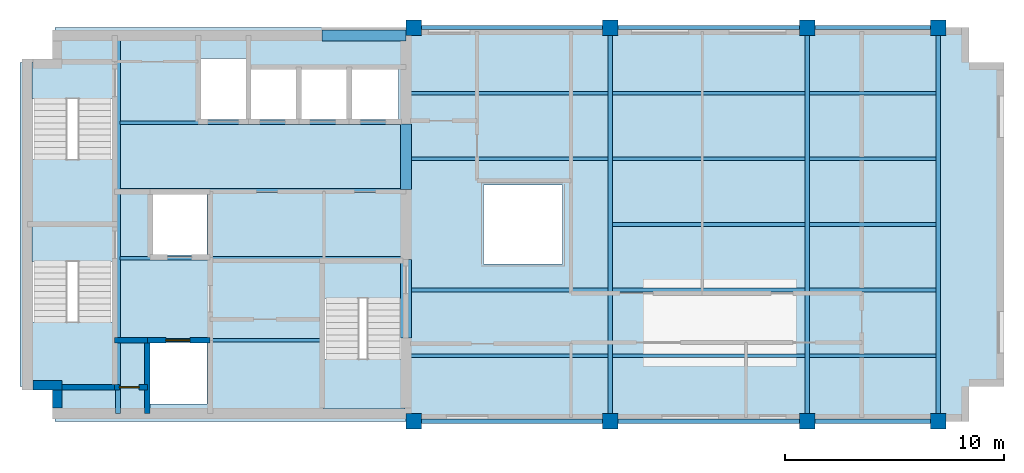
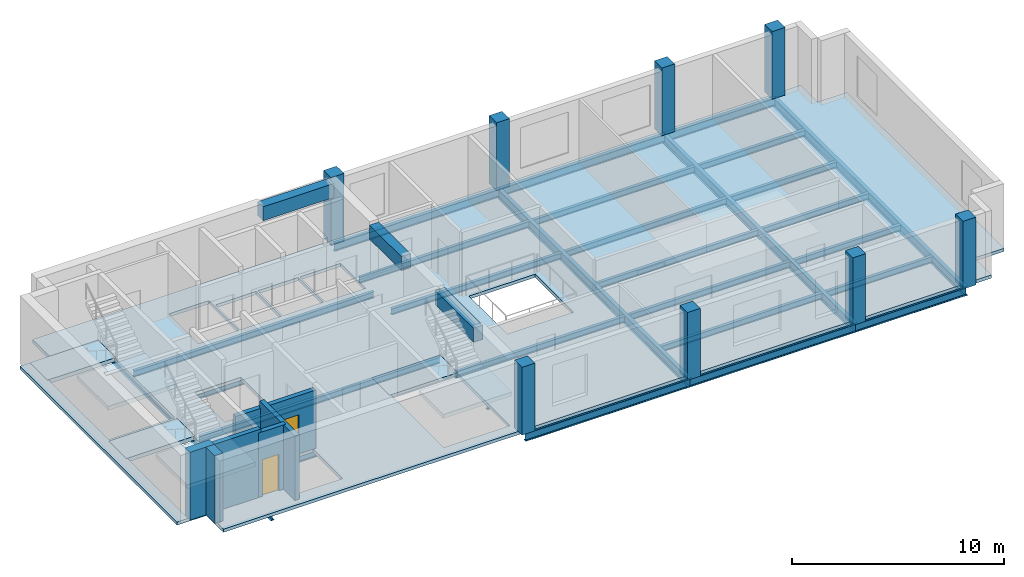
# One storey, part 1 of 5: 31 beams, 8 columns, 7 slabs, 7 walls, 2 doors, 2 openings, 3 elements without a shape of their own.
"""IFC4 building model written with IfcOpenShell, lengths in metres."""

from ifc_helpers import new_model, si_unit, direction, frame, frame_2d, origin, origin_2d, place, context, subcontext, project, spatial, polyline, rectangle, i_section, outline, extrude, material, layer, layer_set, material_profile, profile_set, type_object, element, fill, aggregate, save


model = new_model("IFC4")

# Units and contexts
model_context = context("Model", 3, precision=1e-05, world=origin(), true_north=direction((0.0, 1.0)))
body_context = subcontext(model_context, "Body", "Model", "MODEL_VIEW")
ifc_project = project(units=[si_unit("LENGTHUNIT", "METRE"), si_unit("AREAUNIT", "SQUARE_METRE"), si_unit("VOLUMEUNIT", "CUBIC_METRE"), si_unit("PLANEANGLEUNIT", "RADIAN"), si_unit("MASSUNIT", "GRAM", prefix="KILO")], contexts=[model_context])

# Site, building, storey
site_placement = place(None, origin())
site = spatial("IfcSite", under=ifc_project, at=site_placement, CompositionType="ELEMENT")
building_placement = place(site_placement, origin())
building = spatial("IfcBuilding", under=site, at=building_placement, Name="Mawjdan Bourse Tower", CompositionType="ELEMENT")
storey_placement = place(building_placement, frame((0.0, 0.0, 289.800048828125)))
storey = spatial("IfcBuildingStorey", under=building, at=storey_placement, Name="L71", CompositionType="ELEMENT", Elevation=289.800048828125)

# Columns
ifc_material_1 = material(Name="Concrete C60/75", Category="concrete")
ifc_material_profile_1 = material_profile(ifc_material_1, rectangle(XDim=0.699951171875, YDim=0.699951171875, at=origin_2d()), Name="RC700X700")
ifc_profile_set_1 = profile_set([ifc_material_profile_1], Name="Concrete C60/75")
column_type = type_object("IfcColumnType", Name="COL-RC700X700", PredefinedType="COLUMN", material=ifc_profile_set_1)
for number, where, z_axis, x_axis, name in (
    (1, (24.0, 3.0, 0.0), (0.0, 0.0, 1.0), (1.0, 0.0, 0.0), "L71 Structural Column C-X240-Y30"),
    (2, (24.0, 21.0, 0.0), (0.0, 0.0, 1.0), (1.0, 0.0, 0.0), "L71 Structural Column C-X240-Y210"),
    (3, (33.0, 3.0, 0.0), (0.0, 0.0, 1.0), (1.0, 0.0, 0.0), "L71 Structural Column C-X330-Y30"),
    (4, (33.0, 21.0, 0.0), (0.0, 0.0, 1.0), (1.0, 0.0, 0.0), "L71 Structural Column C-X330-Y210"),
    (5, (42.0, 3.0, 0.0), (0.0, 0.0, 1.0), (1.0, 0.0, 0.0), "L71 Structural Column C-X420-Y30"),
    (6, (42.0, 21.0, 0.0), (0.0, 0.0, 1.0), (1.0, 0.0, 0.0), "L71 Structural Column C-X420-Y210"),
    (7, (48.0, 3.0, 0.0), (0.0, 0.0, 1.0), (1.0, 0.0, 0.0), "L71 Structural Column C-X480-Y30"),
    (8, (48.0, 21.0, 0.0), (0.0, 0.0, 1.0), (1.0, 0.0, 0.0), "L71 Structural Column C-X480-Y210"),
):
    element("IfcColumn", number, at=place(storey_placement, frame(where, z_axis=z_axis, x_axis=x_axis)), inside=storey, type_object=column_type, Name=name, PredefinedType="COLUMN", context=body_context, shape_type="SweptSolid", body=[
        extrude(rectangle(XDim=0.699951171875, YDim=0.699951171875, at=origin_2d()), origin(), (0.0, 0.0, 1.0), 3.89990234375),
    ])

# Beams
ifc_material_2 = material(Name="Structural Steel S355", Category="steel")
ifc_material_profile_2 = material_profile(ifc_material_2, i_section(OverallWidth=0.2099609375, OverallDepth=0.537109375, WebThickness=0.010986328125, FlangeThickness=0.017333984375, FilletRadius=0.013916015625, at=origin_2d()), Name="W21X68")
ifc_profile_set_2 = profile_set([ifc_material_profile_2], Name="Structural Steel S355")
beam_type_1 = type_object("IfcBeamType", Name="GRD-W21X68", PredefinedType="BEAM", material=ifc_profile_set_2)
beam_1_placement = place(storey_placement, frame((10.47998046875, 3.35009765625, -0.45361328125), z_axis=(0.0, 1.0, 0.0), x_axis=(-1.0, 0.0, 0.0)))
element("IfcBeam", 9, at=beam_1_placement, inside=storey, type_object=beam_type_1, Name="L71 Core Stair Trimmer Girder 001", PredefinedType="BEAM", context=body_context, shape_type="SweptSolid", body=[
    extrude(i_section(OverallWidth=0.2099609375, OverallDepth=0.537109375, WebThickness=0.010986328125, FlangeThickness=0.017333984375, FilletRadius=0.013916015625, at=origin_2d()), origin(), (0.0, 0.0, 1.0), 17.2998046875),
])
for number, where, z_axis, x_axis, name in (
    (10, (33.0, 3.0, -0.45361328125), (0.0, 1.0, 0.0), (-1.0, 0.0, 0.0), "L71 East Wing Clear-Span Girder 002"),
    (11, (42.0, 3.0, -0.45361328125), (0.0, 1.0, 0.0), (-1.0, 0.0, 0.0), "L71 East Wing Clear-Span Girder 003"),
    (12, (48.0, 3.0, -0.45361328125), (0.0, 1.0, 0.0), (-1.0, 0.0, 0.0), "L71 East Wing Clear-Span Girder 004"),
):
    element("IfcBeam", number, at=place(storey_placement, frame(where, z_axis=z_axis, x_axis=x_axis)), inside=storey, type_object=beam_type_1, Name=name, PredefinedType="BEAM", context=body_context, shape_type="SweptSolid", body=[
        extrude(i_section(OverallWidth=0.2099609375, OverallDepth=0.537109375, WebThickness=0.010986328125, FlangeThickness=0.017333984375, FilletRadius=0.013916015625, at=origin_2d()), origin(), (0.0, 0.0, 1.0), 18.0),
    ])
ifc_material_profile_3 = material_profile(ifc_material_2, i_section(OverallWidth=0.1708984375, OverallDepth=0.35107421875, WebThickness=0.0068359375, FlangeThickness=0.009765625, FilletRadius=0.0078125, at=origin_2d()), Name="W14X30")
ifc_profile_set_3 = profile_set([ifc_material_profile_3], Name="Structural Steel S355")
beam_type_2 = type_object("IfcBeamType", Name="JST-W14X30", PredefinedType="JOIST", material=ifc_profile_set_3)
beam_2_placement = place(storey_placement, frame((23.64990234375, 6.0, -0.360595703125), z_axis=(1.0, 0.0, 0.0), x_axis=(0.0, 1.0, 0.0)))
element("IfcBeam", 13, at=beam_2_placement, inside=storey, type_object=beam_type_2, Name="L71 East Wing Composite Joist 011", PredefinedType="JOIST", context=body_context, shape_type="SweptSolid", body=[
    extrude(i_section(OverallWidth=0.1708984375, OverallDepth=0.35107421875, WebThickness=0.0068359375, FlangeThickness=0.009765625, FilletRadius=0.0078125, at=origin_2d()), origin(), (0.0, 0.0, 1.0), 9.2470703125),
])
beam_3_placement = place(storey_placement, frame((33.10302734375, 6.0, -0.360595703125), z_axis=(1.0, 0.0, 0.0), x_axis=(0.0, 1.0, 0.0)))
element("IfcBeam", 14, at=beam_3_placement, inside=storey, type_object=beam_type_2, Name="L71 East Wing Composite Joist 012", PredefinedType="JOIST", context=body_context, shape_type="SweptSolid", body=[
    extrude(i_section(OverallWidth=0.1708984375, OverallDepth=0.35107421875, WebThickness=0.0068359375, FlangeThickness=0.009765625, FilletRadius=0.0078125, at=origin_2d()), origin(), (0.0, 0.0, 1.0), 8.7939453125),
])
beam_4_placement = place(storey_placement, frame((42.10302734375, 6.0, -0.360595703125), z_axis=(1.0, 0.0, 0.0), x_axis=(0.0, 1.0, 0.0)))
element("IfcBeam", 15, at=beam_4_placement, inside=storey, type_object=beam_type_2, Name="L71 East Wing Composite Joist 013", PredefinedType="JOIST", context=body_context, shape_type="SweptSolid", body=[
    extrude(i_section(OverallWidth=0.1708984375, OverallDepth=0.35107421875, WebThickness=0.0068359375, FlangeThickness=0.009765625, FilletRadius=0.0078125, at=origin_2d()), origin(), (0.0, 0.0, 1.0), 5.7939453125),
])
beam_5_placement = place(storey_placement, frame((23.64990234375, 9.0, -0.360595703125), z_axis=(1.0, 0.0, 0.0), x_axis=(0.0, 1.0, 0.0)))
element("IfcBeam", 16, at=beam_5_placement, inside=storey, type_object=beam_type_2, Name="L71 East Wing Composite Joist 014", PredefinedType="JOIST", context=body_context, shape_type="SweptSolid", body=[
    extrude(i_section(OverallWidth=0.1708984375, OverallDepth=0.35107421875, WebThickness=0.0068359375, FlangeThickness=0.009765625, FilletRadius=0.0078125, at=origin_2d()), origin(), (0.0, 0.0, 1.0), 9.2470703125),
])
beam_6_placement = place(storey_placement, frame((33.10302734375, 9.0, -0.360595703125), z_axis=(1.0, 0.0, 0.0), x_axis=(0.0, 1.0, 0.0)))
element("IfcBeam", 17, at=beam_6_placement, inside=storey, type_object=beam_type_2, Name="L71 East Wing Composite Joist 015", PredefinedType="JOIST", context=body_context, shape_type="SweptSolid", body=[
    extrude(i_section(OverallWidth=0.1708984375, OverallDepth=0.35107421875, WebThickness=0.0068359375, FlangeThickness=0.009765625, FilletRadius=0.0078125, at=origin_2d()), origin(), (0.0, 0.0, 1.0), 8.7939453125),
])
beam_7_placement = place(storey_placement, frame((42.10302734375, 9.0, -0.360595703125), z_axis=(1.0, 0.0, 0.0), x_axis=(0.0, 1.0, 0.0)))
element("IfcBeam", 18, at=beam_7_placement, inside=storey, type_object=beam_type_2, Name="L71 East Wing Composite Joist 016", PredefinedType="JOIST", context=body_context, shape_type="SweptSolid", body=[
    extrude(i_section(OverallWidth=0.1708984375, OverallDepth=0.35107421875, WebThickness=0.0068359375, FlangeThickness=0.009765625, FilletRadius=0.0078125, at=origin_2d()), origin(), (0.0, 0.0, 1.0), 5.7939453125),
])
beam_8_placement = place(storey_placement, frame((33.10302734375, 12.0, -0.360595703125), z_axis=(1.0, 0.0, 0.0), x_axis=(0.0, 1.0, 0.0)))
element("IfcBeam", 19, at=beam_8_placement, inside=storey, type_object=beam_type_2, Name="L71 East Wing Composite Joist 017", PredefinedType="JOIST", context=body_context, shape_type="SweptSolid", body=[
    extrude(i_section(OverallWidth=0.1708984375, OverallDepth=0.35107421875, WebThickness=0.0068359375, FlangeThickness=0.009765625, FilletRadius=0.0078125, at=origin_2d()), origin(), (0.0, 0.0, 1.0), 8.7939453125),
])
beam_9_placement = place(storey_placement, frame((42.10302734375, 12.0, -0.360595703125), z_axis=(1.0, 0.0, 0.0), x_axis=(0.0, 1.0, 0.0)))
element("IfcBeam", 20, at=beam_9_placement, inside=storey, type_object=beam_type_2, Name="L71 East Wing Composite Joist 018", PredefinedType="JOIST", context=body_context, shape_type="SweptSolid", body=[
    extrude(i_section(OverallWidth=0.1708984375, OverallDepth=0.35107421875, WebThickness=0.0068359375, FlangeThickness=0.009765625, FilletRadius=0.0078125, at=origin_2d()), origin(), (0.0, 0.0, 1.0), 5.7939453125),
])
beam_10_placement = place(storey_placement, frame((23.64990234375, 15.0, -0.360595703125), z_axis=(1.0, 0.0, 0.0), x_axis=(0.0, 1.0, 0.0)))
element("IfcBeam", 21, at=beam_10_placement, inside=storey, type_object=beam_type_2, Name="L71 East Wing Composite Joist 019", PredefinedType="JOIST", context=body_context, shape_type="SweptSolid", body=[
    extrude(i_section(OverallWidth=0.1708984375, OverallDepth=0.35107421875, WebThickness=0.0068359375, FlangeThickness=0.009765625, FilletRadius=0.0078125, at=origin_2d()), origin(), (0.0, 0.0, 1.0), 9.2470703125),
])
beam_11_placement = place(storey_placement, frame((33.10302734375, 15.0, -0.360595703125), z_axis=(1.0, 0.0, 0.0), x_axis=(0.0, 1.0, 0.0)))
element("IfcBeam", 22, at=beam_11_placement, inside=storey, type_object=beam_type_2, Name="L71 East Wing Composite Joist 020", PredefinedType="JOIST", context=body_context, shape_type="SweptSolid", body=[
    extrude(i_section(OverallWidth=0.1708984375, OverallDepth=0.35107421875, WebThickness=0.0068359375, FlangeThickness=0.009765625, FilletRadius=0.0078125, at=origin_2d()), origin(), (0.0, 0.0, 1.0), 8.7939453125),
])
beam_12_placement = place(storey_placement, frame((42.10302734375, 15.0, -0.360595703125), z_axis=(1.0, 0.0, 0.0), x_axis=(0.0, 1.0, 0.0)))
element("IfcBeam", 23, at=beam_12_placement, inside=storey, type_object=beam_type_2, Name="L71 East Wing Composite Joist 021", PredefinedType="JOIST", context=body_context, shape_type="SweptSolid", body=[
    extrude(i_section(OverallWidth=0.1708984375, OverallDepth=0.35107421875, WebThickness=0.0068359375, FlangeThickness=0.009765625, FilletRadius=0.0078125, at=origin_2d()), origin(), (0.0, 0.0, 1.0), 5.7939453125),
])
beam_13_placement = place(storey_placement, frame((23.64990234375, 18.0, -0.360595703125), z_axis=(1.0, 0.0, 0.0), x_axis=(0.0, 1.0, 0.0)))
element("IfcBeam", 24, at=beam_13_placement, inside=storey, type_object=beam_type_2, Name="L71 East Wing Composite Joist 022", PredefinedType="JOIST", context=body_context, shape_type="SweptSolid", body=[
    extrude(i_section(OverallWidth=0.1708984375, OverallDepth=0.35107421875, WebThickness=0.0068359375, FlangeThickness=0.009765625, FilletRadius=0.0078125, at=origin_2d()), origin(), (0.0, 0.0, 1.0), 9.2470703125),
])
beam_14_placement = place(storey_placement, frame((33.10302734375, 18.0, -0.360595703125), z_axis=(1.0, 0.0, 0.0), x_axis=(0.0, 1.0, 0.0)))
element("IfcBeam", 25, at=beam_14_placement, inside=storey, type_object=beam_type_2, Name="L71 East Wing Composite Joist 023", PredefinedType="JOIST", context=body_context, shape_type="SweptSolid", body=[
    extrude(i_section(OverallWidth=0.1708984375, OverallDepth=0.35107421875, WebThickness=0.0068359375, FlangeThickness=0.009765625, FilletRadius=0.0078125, at=origin_2d()), origin(), (0.0, 0.0, 1.0), 8.7939453125),
])
beam_15_placement = place(storey_placement, frame((42.10302734375, 18.0, -0.360595703125), z_axis=(1.0, 0.0, 0.0), x_axis=(0.0, 1.0, 0.0)))
element("IfcBeam", 26, at=beam_15_placement, inside=storey, type_object=beam_type_2, Name="L71 East Wing Composite Joist 024", PredefinedType="JOIST", context=body_context, shape_type="SweptSolid", body=[
    extrude(i_section(OverallWidth=0.1708984375, OverallDepth=0.35107421875, WebThickness=0.0068359375, FlangeThickness=0.009765625, FilletRadius=0.0078125, at=origin_2d()), origin(), (0.0, 0.0, 1.0), 5.7939453125),
])
beam_16_placement = place(storey_placement, frame((10.5830078125, 6.699951171875, -0.360595703125), z_axis=(1.0, 0.0, 0.0), x_axis=(0.0, 1.0, 0.0)))
element("IfcBeam", 27, at=beam_16_placement, inside=storey, type_object=beam_type_2, Name="L71 Core Floor Joist 025", PredefinedType="JOIST", context=body_context, shape_type="SweptSolid", body=[
    extrude(i_section(OverallWidth=0.1708984375, OverallDepth=0.35107421875, WebThickness=0.0068359375, FlangeThickness=0.009765625, FilletRadius=0.0078125, at=origin_2d()), origin(), (0.0, 0.0, 1.0), 9.2470703125),
])
for number, where, z_axis, x_axis, name in (
    (28, (10.5830078125, 10.449951171875, -0.360595703125), (1.0, 0.0, 0.0), (0.0, 1.0, 0.0), "L71 Core Floor Joist 026"),
    (29, (10.5830078125, 13.550048828125, -0.360595703125), (1.0, 0.0, 0.0), (0.0, 1.0, 0.0), "L71 Core Floor Joist 027"),
    (30, (10.5830078125, 16.64990234375, -0.360595703125), (1.0, 0.0, 0.0), (0.0, 1.0, 0.0), "L71 Core Floor Joist 028"),
):
    element("IfcBeam", number, at=place(storey_placement, frame(where, z_axis=z_axis, x_axis=x_axis)), inside=storey, type_object=beam_type_2, Name=name, PredefinedType="JOIST", context=body_context, shape_type="SweptSolid", body=[
        extrude(i_section(OverallWidth=0.1708984375, OverallDepth=0.35107421875, WebThickness=0.0068359375, FlangeThickness=0.009765625, FilletRadius=0.0078125, at=origin_2d()), origin(), (0.0, 0.0, 1.0), 13.06689453125),
    ])
ifc_material_3 = material(Name="Concrete C70/85", Category="concrete")
ifc_material_profile_4 = material_profile(ifc_material_3, rectangle(XDim=0.5, YDim=0.800048828125, at=origin_2d()), Name="RCB500X800")
ifc_profile_set_4 = profile_set([ifc_material_profile_4], Name="Concrete C70/85")
beam_type_3 = type_object("IfcBeamType", Name="LNT-RCB500X800", PredefinedType="LINTEL", material=ifc_profile_set_4)
beam_17_placement = place(storey_placement, frame((23.64990234375, 6.800048828125, 3.31494140625), z_axis=(0.0, 1.0, 0.0), x_axis=(-1.0, 0.0, 0.0)))
element("IfcBeam", 31, at=beam_17_placement, inside=storey, type_object=beam_type_3, Name="L71 Coupled Core Lintel CB-E1", PredefinedType="LINTEL", context=body_context, shape_type="SweptSolid", body=[
    extrude(rectangle(XDim=0.5, YDim=0.800048828125, at=origin_2d()), origin(), (0.0, 0.0, 1.0), 3.599853515625),
])
beam_18_placement = place(storey_placement, frame((23.64990234375, 13.60009765625, 3.31494140625), z_axis=(0.0, 1.0, 0.0), x_axis=(-1.0, 0.0, 0.0)))
element("IfcBeam", 32, at=beam_18_placement, inside=storey, type_object=beam_type_3, Name="L71 Coupled Core Lintel CB-E2", PredefinedType="LINTEL", context=body_context, shape_type="SweptSolid", body=[
    extrude(rectangle(XDim=0.5, YDim=0.800048828125, at=origin_2d()), origin(), (0.0, 0.0, 1.0), 3.0),
])
beam_19_placement = place(storey_placement, frame((19.800048828125, 20.64990234375, 3.31494140625), z_axis=(1.0, 0.0, 0.0), x_axis=(0.0, 1.0, 0.0)))
element("IfcBeam", 33, at=beam_19_placement, inside=storey, type_object=beam_type_3, Name="L71 Coupled Core Lintel CB-N1", PredefinedType="LINTEL", context=body_context, shape_type="SweptSolid", body=[
    extrude(rectangle(XDim=0.5, YDim=0.800048828125, at=origin_2d()), origin(), (0.0, 0.0, 1.0), 3.849853515625),
])
ifc_material_profile_5 = material_profile(ifc_material_2, i_section(OverallWidth=0.18994140625, OverallDepth=0.45703125, WebThickness=0.009033203125, FlangeThickness=0.014404296875, FilletRadius=0.01171875, at=origin_2d()), Name="W18X50")
ifc_profile_set_5 = profile_set([ifc_material_profile_5], Name="Structural Steel S355")
beam_type_4 = type_object("IfcBeamType", Name="SPN-W18X50", PredefinedType="SPANDREL", material=ifc_profile_set_5)
for number, where, z_axis, x_axis, name in (
    (34, (24.0, 3.0, -0.41357421875), (1.0, 0.0, 0.0), (0.0, 1.0, 0.0), "L71 Perimeter Masonry-Shelf Spandrel 005"),
    (35, (33.0, 3.0, -0.41357421875), (1.0, 0.0, 0.0), (0.0, 1.0, 0.0), "L71 Perimeter Masonry-Shelf Spandrel 006"),
):
    element("IfcBeam", number, at=place(storey_placement, frame(where, z_axis=z_axis, x_axis=x_axis)), inside=storey, type_object=beam_type_4, Name=name, PredefinedType="SPANDREL", context=body_context, shape_type="SweptSolid", body=[
        extrude(i_section(OverallWidth=0.18994140625, OverallDepth=0.45703125, WebThickness=0.009033203125, FlangeThickness=0.014404296875, FilletRadius=0.01171875, at=origin_2d()), origin(), (0.0, 0.0, 1.0), 9.0),
    ])
beam_20_placement = place(storey_placement, frame((42.0, 3.0, -0.41357421875), z_axis=(1.0, 0.0, 0.0), x_axis=(0.0, 1.0, 0.0)))
element("IfcBeam", 36, at=beam_20_placement, inside=storey, type_object=beam_type_4, Name="L71 Perimeter Masonry-Shelf Spandrel 007", PredefinedType="SPANDREL", context=body_context, shape_type="SweptSolid", body=[
    extrude(i_section(OverallWidth=0.18994140625, OverallDepth=0.45703125, WebThickness=0.009033203125, FlangeThickness=0.014404296875, FilletRadius=0.01171875, at=origin_2d()), origin(), (0.0, 0.0, 1.0), 6.0),
])
for number, where, z_axis, x_axis, name in (
    (37, (24.0, 21.0, -0.41357421875), (1.0, 0.0, 0.0), (0.0, 1.0, 0.0), "L71 Perimeter Masonry-Shelf Spandrel 008"),
    (38, (33.0, 21.0, -0.41357421875), (1.0, 0.0, 0.0), (0.0, 1.0, 0.0), "L71 Perimeter Masonry-Shelf Spandrel 009"),
):
    element("IfcBeam", number, at=place(storey_placement, frame(where, z_axis=z_axis, x_axis=x_axis)), inside=storey, type_object=beam_type_4, Name=name, PredefinedType="SPANDREL", context=body_context, shape_type="SweptSolid", body=[
        extrude(i_section(OverallWidth=0.18994140625, OverallDepth=0.45703125, WebThickness=0.009033203125, FlangeThickness=0.014404296875, FilletRadius=0.01171875, at=origin_2d()), origin(), (0.0, 0.0, 1.0), 9.0),
    ])
beam_21_placement = place(storey_placement, frame((42.0, 21.0, -0.41357421875), z_axis=(1.0, 0.0, 0.0), x_axis=(0.0, 1.0, 0.0)))
element("IfcBeam", 39, at=beam_21_placement, inside=storey, type_object=beam_type_4, Name="L71 Perimeter Masonry-Shelf Spandrel 010", PredefinedType="SPANDREL", context=body_context, shape_type="SweptSolid", body=[
    extrude(i_section(OverallWidth=0.18994140625, OverallDepth=0.45703125, WebThickness=0.009033203125, FlangeThickness=0.014404296875, FilletRadius=0.01171875, at=origin_2d()), origin(), (0.0, 0.0, 1.0), 6.0),
])

# Stair, slabs
ifc_material_4 = material(Name="Concrete C50/60", Category="concrete")
stair_type = type_object("IfcStairType", Name="STR-CORE-1500", PredefinedType="HALF_TURN_STAIR", material=ifc_material_4)
stair_1_placement = place(storey_placement, origin())
stair_1 = element("IfcStair", 40, at=stair_1_placement, inside=storey, type_object=stair_type, Name="L71 Exit Stair 1 (Core South-West)", PredefinedType="HALF_TURN_STAIR")
ifc_layer_1 = layer(ifc_material_4, 0.22998046875)
ifc_layer_set_1 = layer_set([ifc_layer_1], Name="Concrete C50/60")
slab_type_1 = type_object("IfcSlabType", Name="SL-LND-230", PredefinedType="LANDING", material=ifc_layer_set_1)
slab_1_placement = place(storey_placement, frame((0.0, 0.0, -0.22998046875)))
slab_1 = element("IfcSlab", 41, at=slab_1_placement, type_object=slab_type_1, Name="ST1-L71 landing 1", PredefinedType="LANDING", context=body_context, shape_type="SweptSolid", body=[
    extrude(outline(polyline([(6.5400390625, 10.31005859375), (10.260009765625, 10.31005859375), (10.260009765625, 11.969970703125), (6.5400390625, 11.969970703125), (6.5400390625, 10.31005859375)])), origin(), (0.0, 0.0, 1.0), 0.22998046875),
])
slab_2_placement = place(storey_placement, frame((0.0, 0.0, 1.719970703125)))
slab_2 = element("IfcSlab", 42, at=slab_2_placement, type_object=slab_type_1, Name="ST1-L71 landing 2", PredefinedType="LANDING", context=body_context, shape_type="SweptSolid", body=[
    extrude(outline(polyline([(6.5400390625, 4.590087890625), (10.260009765625, 4.590087890625), (10.260009765625, 7.5400390625), (6.5400390625, 7.5400390625), (6.5400390625, 4.590087890625)])), origin(), (0.0, 0.0, 1.0), 0.22998046875),
])
aggregate(stair_1, [slab_1, slab_2])

stair_2_placement = place(storey_placement, origin())
stair_2 = element("IfcStair", 43, at=stair_2_placement, inside=storey, type_object=stair_type, Name="L71 Exit Stair 2 (Core North-West)", PredefinedType="HALF_TURN_STAIR")
slab_3_placement = place(storey_placement, frame((0.0, 0.0, -0.22998046875)))
slab_3 = element("IfcSlab", 44, at=slab_3_placement, type_object=slab_type_1, Name="ST2-L71 landing 1", PredefinedType="LANDING", context=body_context, shape_type="SweptSolid", body=[
    extrude(outline(polyline([(6.5400390625, 17.75), (10.260009765625, 17.75), (10.260009765625, 19.409912109375), (6.5400390625, 19.409912109375), (6.5400390625, 17.75)])), origin(), (0.0, 0.0, 1.0), 0.22998046875),
])
slab_4_placement = place(storey_placement, frame((0.0, 0.0, 1.719970703125)))
slab_4 = element("IfcSlab", 45, at=slab_4_placement, type_object=slab_type_1, Name="ST2-L71 landing 2", PredefinedType="LANDING", context=body_context, shape_type="SweptSolid", body=[
    extrude(outline(polyline([(6.5400390625, 12.030029296875), (10.260009765625, 12.030029296875), (10.260009765625, 14.97998046875), (6.5400390625, 14.97998046875), (6.5400390625, 12.030029296875)])), origin(), (0.0, 0.0, 1.0), 0.22998046875),
])
aggregate(stair_2, [slab_3, slab_4])

stair_3_placement = place(storey_placement, origin())
stair_3 = element("IfcStair", 46, at=stair_3_placement, inside=storey, type_object=stair_type, Name="L71 Exit Stair 7 (Core South-East)", PredefinedType="HALF_TURN_STAIR")
slab_5_placement = place(storey_placement, frame((0.0, 0.0, -0.22998046875)))
slab_5 = element("IfcSlab", 47, at=slab_5_placement, type_object=slab_type_1, Name="ST7-L71 landing 1", PredefinedType="LANDING", context=body_context, shape_type="SweptSolid", body=[
    extrude(outline(polyline([(19.889892578125, 8.6201171875), (23.610107421875, 8.6201171875), (23.610107421875, 10.280029296875), (19.889892578125, 10.280029296875), (19.889892578125, 8.6201171875)])), origin(), (0.0, 0.0, 1.0), 0.22998046875),
])
slab_6_placement = place(storey_placement, frame((0.0, 0.0, 1.719970703125)))
slab_6 = element("IfcSlab", 48, at=slab_6_placement, type_object=slab_type_1, Name="ST7-L71 landing 2", PredefinedType="LANDING", context=body_context, shape_type="SweptSolid", body=[
    extrude(outline(polyline([(19.889892578125, 3.56005859375), (23.610107421875, 3.56005859375), (23.610107421875, 5.85009765625), (19.889892578125, 5.85009765625), (19.889892578125, 3.56005859375)])), origin(), (0.0, 0.0, 1.0), 0.22998046875),
])
aggregate(stair_3, [slab_5, slab_6])

# Slab
ifc_layer_2 = layer(ifc_material_4, 0.18505859375)
ifc_layer_set_2 = layer_set([ifc_layer_2], Name="Concrete C50/60")
slab_type_2 = type_object("IfcSlabType", Name="SL-SMT-185", PredefinedType="FLOOR", material=ifc_layer_set_2)
slab_7_placement = place(storey_placement, frame((0.0, 0.0, -0.18505859375)))
element("IfcSlab", 49, at=slab_7_placement, inside=storey, type_object=slab_type_2, Name="L71 Structural Floor Slab 1", PredefinedType="FLOOR", context=body_context, shape_type="SweptSolid", body=[
    extrude(outline(polyline([(7.60009765625, 3.0), (49.39990234375, 3.0), (49.39990234375, 4.60009765625), (51.0, 4.60009765625), (51.0, 19.39990234375), (49.39990234375, 19.39990234375), (49.39990234375, 21.0), (7.60009765625, 21.0), (7.60009765625, 19.39990234375), (6.0, 19.39990234375), (6.0, 4.60009765625), (7.60009765625, 4.60009765625), (7.60009765625, 3.0)]), holes=[polyline([(14.550048828125, 3.800048828125), (11.949951171875, 3.800048828125), (11.949951171875, 6.60009765625), (14.550048828125, 6.60009765625), (14.550048828125, 3.800048828125)]), polyline([(10.260009765625, 11.969970703125), (10.260009765625, 10.31005859375), (10.199951171875, 10.31005859375), (10.199951171875, 4.64990234375), (6.60009765625, 4.64990234375), (6.60009765625, 10.31005859375), (6.5400390625, 10.31005859375), (6.5400390625, 11.969970703125), (10.260009765625, 11.969970703125)]), polyline([(14.550048828125, 10.60009765625), (12.050048828125, 10.60009765625), (12.050048828125, 13.39990234375), (14.550048828125, 13.39990234375), (14.550048828125, 10.60009765625)]), polyline([(6.60009765625, 12.090087890625), (6.60009765625, 17.75), (6.5400390625, 17.75), (6.5400390625, 19.3798828125), (7.60009765625, 19.3798828125), (7.60205078125, 19.380126953125), (7.60400390625, 19.38037109375), (7.605712890625, 19.380859375), (7.607666015625, 19.381591796875), (7.609375, 19.38232421875), (7.611083984375, 19.38330078125), (7.61279296875, 19.384521484375), (7.614013671875, 19.385986328125), (7.615478515625, 19.38720703125), (7.61669921875, 19.388916015625), (7.61767578125, 19.390625), (7.618408203125, 19.392333984375), (7.619140625, 19.394287109375), (7.61962890625, 19.39599609375), (7.619873046875, 19.39794921875), (7.6201171875, 19.39990234375), (7.6201171875, 19.409912109375), (10.260009765625, 19.409912109375), (10.260009765625, 17.75), (10.199951171875, 17.75), (10.199951171875, 12.090087890625), (6.60009765625, 12.090087890625)]), polyline([(14.199951171875, 16.800048828125), (14.199951171875, 19.60009765625), (16.39990234375, 19.60009765625), (16.39990234375, 16.800048828125), (14.199951171875, 16.800048828125)]), polyline([(23.610107421875, 10.280029296875), (23.610107421875, 8.6201171875), (23.550048828125, 8.6201171875), (23.550048828125, 3.6201171875), (19.949951171875, 3.6201171875), (19.949951171875, 8.6201171875), (19.889892578125, 8.6201171875), (19.889892578125, 10.280029296875), (23.610107421875, 10.280029296875)]), polyline([(27.199951171875, 10.199951171875), (27.199951171875, 13.800048828125), (30.800048828125, 13.800048828125), (30.800048828125, 10.199951171875), (27.199951171875, 10.199951171875)]), polyline([(16.5, 16.800048828125), (16.5, 19.14990234375), (18.699951171875, 19.14990234375), (18.699951171875, 16.800048828125), (16.5, 16.800048828125)]), polyline([(18.800048828125, 16.800048828125), (18.800048828125, 19.14990234375), (21.0, 19.14990234375), (21.0, 16.800048828125), (18.800048828125, 16.800048828125)]), polyline([(21.10009765625, 16.800048828125), (21.10009765625, 19.14990234375), (23.300048828125, 19.14990234375), (23.300048828125, 16.800048828125), (21.10009765625, 16.800048828125)])]), origin(), (0.0, 0.0, 1.0), 0.18505859375),
])

# Walls
ifc_layer_3 = layer(ifc_material_1, 0.449951171875)
ifc_layer_set_3 = layer_set([ifc_layer_3], Name="Concrete C60/75")
wall_type_1 = type_object("IfcWallType", Name="WL-CORE-450", PredefinedType="SHEAR", material=ifc_layer_set_3)
wall_1_placement = place(storey_placement, frame((6.60009765625, 4.64990234375, 0.0), z_axis=(0.0, 0.0, 1.0), x_axis=(1.0, 0.0, 0.0)))
element("IfcWall", 50, at=wall_1_placement, inside=storey, type_object=wall_type_1, Name="L71 Rear Core Shear Wall SW-X", PredefinedType="SHEAR", context=body_context, shape_type="SweptSolid", body=[
    extrude(rectangle(XDim=1.324951171875, YDim=0.449951171875, at=frame_2d((0.66259765625, 0.0))), origin(), (0.0, 0.0, 1.0), 3.89990234375),
])
wall_2_placement = place(storey_placement, frame((7.699951171875, 3.60009765625, 0.0), z_axis=(0.0, 0.0, 1.0), x_axis=(0.0, 1.0, 0.0)))
element("IfcWall", 51, at=wall_2_placement, inside=storey, type_object=wall_type_1, Name="L71 Rear Core Shear Wall SW-Y", PredefinedType="SHEAR", context=body_context, shape_type="SweptSolid", body=[
    extrude(rectangle(XDim=0.824951171875, YDim=0.449951171875, at=frame_2d((0.41259765625, 0.0))), origin(), (0.0, 0.0, 1.0), 3.89990234375),
])

# Wall, opening, door
ifc_layer_4 = layer(ifc_material_4, 0.25)
ifc_layer_set_4 = layer_set([ifc_layer_4], Name="Concrete C50/60")
wall_type_2 = type_object("IfcWallType", Name="WL-SHFT-250", PredefinedType="PARTITIONING", material=ifc_layer_set_4)
wall_3_placement = place(storey_placement, frame((10.330078125, 4.550048828125, 0.0), z_axis=(0.0, 0.0, 1.0), x_axis=(1.0, 0.0, 0.0)))
wall_3 = element("IfcWall", 52, at=wall_3_placement, inside=storey, type_object=wall_type_2, Name="L71 SW Riser North Wall", PredefinedType="PARTITIONING", context=body_context, shape_type="SweptSolid", body=[
    extrude(rectangle(XDim=1.489990234375, YDim=0.25, at=frame_2d((0.7451171875, 0.0))), origin(), (0.0, 0.0, 1.0), 3.704833984375),
])
opening_1_placement = place(wall_3_placement, frame((0.219970703125, 0.0, 0.0)))
opening_1 = element("IfcOpeningElement", 53, at=opening_1_placement, cuts=wall_3, Name="Opening RD-L71-03", PredefinedType="OPENING", context=body_context, shape_type="SweptSolid", body=[
    extrude(rectangle(XDim=0.89990234375, YDim=2.10009765625, at=frame_2d((0.449951171875, 1.050048828125))), frame((0.0, 0.135009765625, 0.0), z_axis=(0.0, -1.0, 0.0), x_axis=(1.0, 0.0, 0.0)), (0.0, 0.0, 1.0), 0.27001953125),
])
ifc_material_5 = material(Name="Fire-Rated Steel Access Leaf", Category="steel")
door_type_1 = type_object("IfcDoorType", Name="FD-RSR-0900", OperationType="NOTDEFINED", PredefinedType="TRAPDOOR", material=ifc_material_5)
door_1_placement = place(opening_1_placement, origin())
door_1 = element("IfcDoor", 54, at=door_1_placement, inside=storey, type_object=door_type_1, Name="L71 Electrical Riser Access Door RD-L71-03", OperationType="SINGLE_SWING_RIGHT", OverallHeight=2.10009765625, OverallWidth=0.89990234375, PredefinedType="TRAPDOOR", context=body_context, shape_type="SweptSolid", body=[
    extrude(rectangle(XDim=0.89990234375, YDim=2.10009765625, at=frame_2d((0.449951171875, 1.050048828125))), frame((0.0, 0.02490234375, 0.0), z_axis=(0.0, -1.0, 0.0), x_axis=(1.0, 0.0, 0.0)), (0.0, 0.0, 1.0), 0.050048828125),
])
fill(opening_1, door_1)

# Wall
wall_4_placement = place(storey_placement, frame((11.820068359375, 3.35009765625, 0.0), z_axis=(0.0, 0.0, 1.0), x_axis=(0.0, 1.0, 0.0)))
element("IfcWall", 55, at=wall_4_placement, inside=storey, type_object=wall_type_2, Name="L71 SW Riser & FFL01 West Wall", PredefinedType="PARTITIONING", context=body_context, shape_type="SweptSolid", body=[
    extrude(rectangle(XDim=3.349853515625, YDim=0.25, at=frame_2d((1.6748046875, 0.0))), origin(), (0.0, 0.0, 1.0), 3.704833984375),
])

# Wall, opening, door
wall_5_placement = place(storey_placement, frame((11.820068359375, 6.699951171875, 0.0), z_axis=(0.0, 0.0, 1.0), x_axis=(1.0, 0.0, 0.0)))
wall_5 = element("IfcWall", 56, at=wall_5_placement, inside=storey, type_object=wall_type_2, Name="L71 FFL-01 Front Shaft Wall", PredefinedType="PARTITIONING", context=body_context, shape_type="SweptSolid", body=[
    extrude(rectangle(XDim=2.8798828125, YDim=0.25, at=frame_2d((1.43994140625, 0.0))), origin(), (0.0, 0.0, 1.0), 3.35400390625),
])
opening_2_placement = place(wall_5_placement, frame((0.85009765625, 0.0, 0.0)))
opening_2 = element("IfcOpeningElement", 57, at=opening_2_placement, cuts=wall_5, Name="Opening LD-L71-05", PredefinedType="OPENING", context=body_context, shape_type="SweptSolid", body=[
    extrude(rectangle(XDim=1.10009765625, YDim=2.25, at=frame_2d((0.550048828125, 1.125))), frame((0.0, 0.135009765625, 0.0), z_axis=(0.0, -1.0, 0.0), x_axis=(1.0, 0.0, 0.0)), (0.0, 0.0, 1.0), 0.27001953125),
])
ifc_material_6 = material(Name="Brushed Stainless Steel", Category="steel")
door_type_2 = type_object("IfcDoorType", Name="LD-FFL-1100", OperationType="DOUBLE_DOOR_SLIDING", PredefinedType="DOOR", material=ifc_material_6)
door_2_placement = place(opening_2_placement, origin())
door_2 = element("IfcDoor", 58, at=door_2_placement, inside=storey, type_object=door_type_2, Name="L71 Firefighting Lift FFL-01 Landing Door LD-L71-05", OperationType="DOUBLE_DOOR_SLIDING", OverallHeight=2.25, OverallWidth=1.10009765625, PredefinedType="DOOR", context=body_context, shape_type="SweptSolid", body=[
    extrude(rectangle(XDim=1.10009765625, YDim=2.25, at=frame_2d((0.550048828125, 1.125))), frame((0.0, 0.02490234375, 0.0), z_axis=(0.0, -1.0, 0.0), x_axis=(1.0, 0.0, 0.0)), (0.0, 0.0, 1.0), 0.050048828125),
])
fill(opening_2, door_2)

# Walls
wall_6_placement = place(storey_placement, frame((10.330078125, 6.699951171875, 0.0), z_axis=(0.0, 0.0, 1.0), x_axis=(1.0, 0.0, 0.0)))
element("IfcWall", 59, at=wall_6_placement, inside=storey, type_object=wall_type_2, Name="L71 Firefighting Lobby South Closure Wall", PredefinedType="PARTITIONING", context=body_context, shape_type="SweptSolid", body=[
    extrude(rectangle(XDim=1.489990234375, YDim=0.25, at=frame_2d((0.7451171875, 0.0))), origin(), (0.0, 0.0, 1.0), 3.35400390625),
])
ifc_layer_5 = layer(ifc_material_4, 0.25)
ifc_layer_set_5 = layer_set([ifc_layer_5], Name="Concrete C50/60")
wall_type_3 = type_object("IfcWallType", Name="WL-STRW-250", PredefinedType="SHEAR", material=ifc_layer_set_5)
wall_7_placement = place(storey_placement, frame((7.699951171875, 4.550048828125, 0.0), z_axis=(0.0, 0.0, 1.0), x_axis=(1.0, 0.0, 0.0)))
element("IfcWall", 60, at=wall_7_placement, inside=storey, type_object=wall_type_3, Name="L71 Stairwell ST1 South Shaft Wall", PredefinedType="SHEAR", context=body_context, shape_type="SweptSolid", body=[
    extrude(rectangle(XDim=2.755126953125, YDim=0.25, at=frame_2d((1.37744140625, 0.0))), origin(), (0.0, 0.0, 1.0), 3.89990234375),
])

save(model, "model.ifc")
